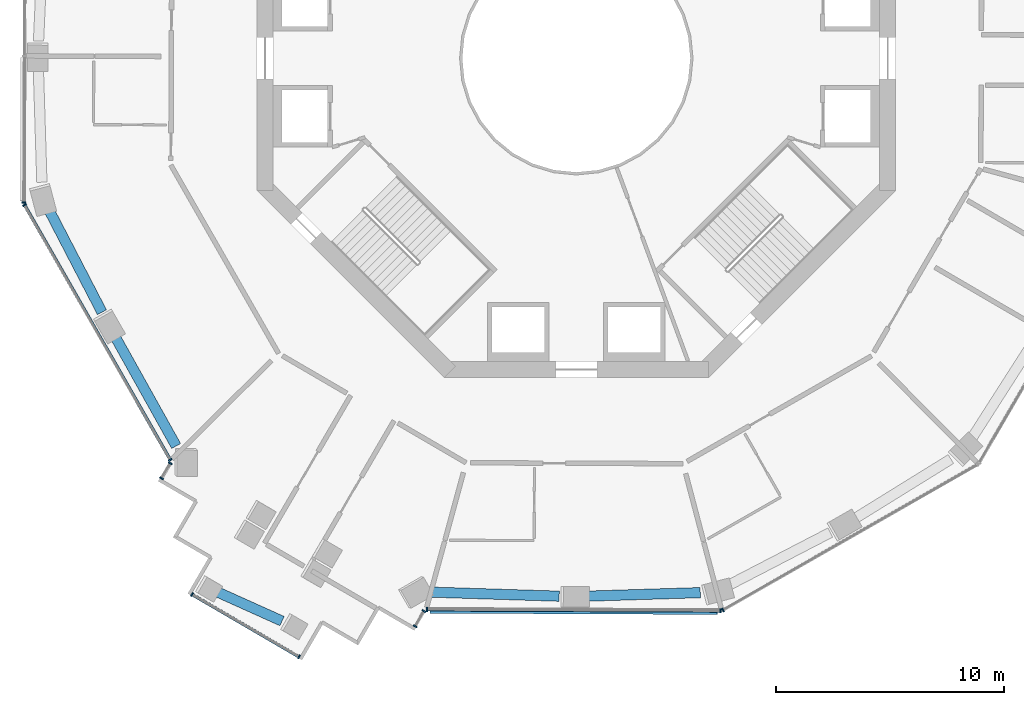
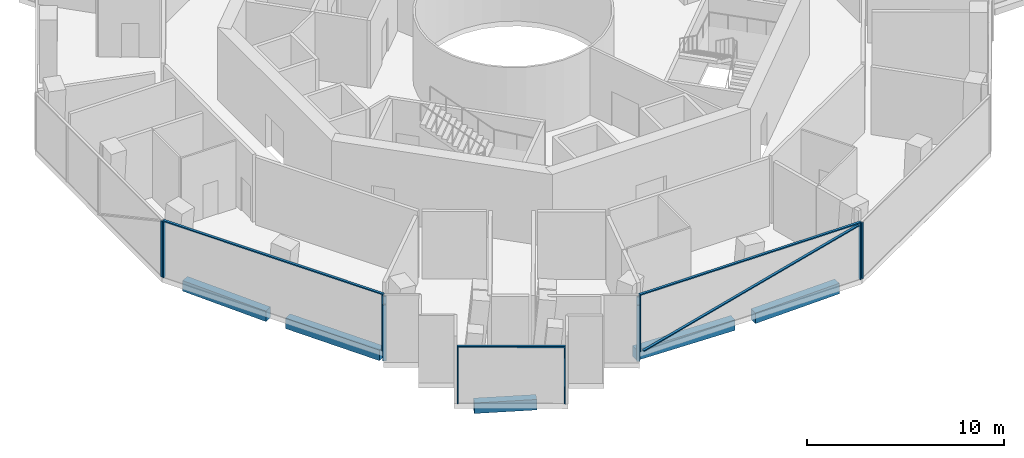
# One storey, part 2 of 16: 16 members, 5 beams, 7 elements without a shape of their own.
"""IFC4 building model written with IfcOpenShell, lengths in metres."""

import ifcopenshell
import ifcopenshell.guid

model = None  # the IFC model being written
_history = None  # IfcOwnerHistory: only IFC2X3 demands one
_inside = {}  # id of a spatial element -> (the spatial element, [elements in it])
_under = {}  # id of a project, library or spatial element -> (it, [spatial elements below it])
_declared = {}  # id of a project -> (the project, [libraries it declares])
_typed = {}  # id of a type object -> (the type object, [elements of that type])
_made_of = {}  # id of a material, layer set ... -> (it, [elements and type objects made of it])


def new_model(schema):
    """Start an empty IFC model of exactly this schema.

    Asked for "IFC4X3", IfcOpenShell would pick the latest addendum, in which some entities
    have other attributes; the version numbers below select the first issue.
    IFC2X3 requires an IfcOwnerHistory on every rooted entity: one is made here for all.
    """
    global model, _history
    if schema == "IFC4X3":
        model = ifcopenshell.file(schema_version=(4, 3, 0, 0))
    else:
        model = ifcopenshell.file(schema=schema)
    _inside.clear()
    _under.clear()
    _declared.clear()
    _typed.clear()
    _made_of.clear()
    _history = None
    if model.schema == "IFC2X3":
        org = make("IfcOrganization", Name="unknown")
        user = make(
            "IfcPersonAndOrganization",
            ThePerson=make("IfcPerson", FamilyName="unknown"),
            TheOrganization=org,
        )
        app = make(
            "IfcApplication",
            ApplicationDeveloper=org,
            Version="unknown",
            ApplicationFullName="unknown",
            ApplicationIdentifier="unknown",
        )
        _history = make(
            "IfcOwnerHistory",
            OwningUser=user,
            OwningApplication=app,
            ChangeAction="ADDED",
            CreationDate=0,
        )
    return model


def make(cls, **values):
    """One entity of the class cls with the attributes given. An attribute that is None is left unset."""
    return model.create_entity(
        cls, **{name: value for name, value in values.items() if value is not None}
    )


def rooted(cls, **values):
    """An entity with a GlobalId (a new one), such as an element, a storey or a relation."""
    return make(cls, GlobalId=ifcopenshell.guid.new(), OwnerHistory=_history, **values)


def si_unit(unit_type, name, prefix=None):
    """IfcSIUnit, for example si_unit("LENGTHUNIT", "METRE", prefix="MILLI")."""
    return make("IfcSIUnit", UnitType=unit_type, Prefix=prefix, Name=name)


def assignment(units):
    """IfcUnitAssignment: the units of a project."""
    return None if units is None else make("IfcUnitAssignment", Units=units)


def point(xyz):
    """IfcCartesianPoint."""
    return None if xyz is None else make("IfcCartesianPoint", Coordinates=xyz)


def direction(xyz):
    """IfcDirection."""
    return None if xyz is None else make("IfcDirection", DirectionRatios=xyz)


def frame(location, z_axis=None, x_axis=None):
    """IfcAxis2Placement3D, a coordinate frame: its origin and axes. An axis left out is left unset."""
    return make(
        "IfcAxis2Placement3D",
        Location=point(location),
        Axis=direction(z_axis),
        RefDirection=direction(x_axis),
    )


def frame_2d(location, x_axis=None):
    """IfcAxis2Placement2D, a coordinate frame in the plane: its origin and x axis."""
    return make(
        "IfcAxis2Placement2D", Location=point(location), RefDirection=direction(x_axis)
    )


def origin():
    """The frame at (0, 0, 0) with its axes left unset."""
    return frame((0.0, 0.0, 0.0))


def origin_2d():
    """The frame at (0, 0) in the plane with its x axis left unset."""
    return frame_2d((0.0, 0.0))


def place(relative_to, where):
    """IfcLocalPlacement: puts the frame where relative to a parent placement (None: the world)."""
    return make(
        "IfcLocalPlacement", PlacementRelTo=relative_to, RelativePlacement=where
    )


def context(
    kind, dimensions, precision=None, world=None, true_north=None, identifier=None
):
    """IfcGeometricRepresentationContext, for example the 3D "Model" context."""
    return make(
        "IfcGeometricRepresentationContext",
        ContextIdentifier=identifier,
        ContextType=kind,
        CoordinateSpaceDimension=dimensions,
        Precision=precision,
        WorldCoordinateSystem=world,
        TrueNorth=true_north,
    )


def subcontext(parent, identifier, kind, view, scale=None):
    """IfcGeometricRepresentationSubContext, for example "Body" below "Model"."""
    return make(
        "IfcGeometricRepresentationSubContext",
        ContextIdentifier=identifier,
        ContextType=kind,
        ParentContext=parent,
        TargetScale=scale,
        TargetView=view,
    )


def project(units=None, contexts=None):
    """IfcProject with its units and contexts."""
    return rooted(
        "IfcProject",
        Name="project",
        RepresentationContexts=contexts,
        UnitsInContext=assignment(units),
    )


def spatial(cls, under=None, at=None, **own):
    """A site, building, storey or space (cls), placed at a placement, below another one or the project."""
    s = rooted(cls, ObjectPlacement=at, **own)
    if under is not None:
        _under.setdefault(under.id(), (under, []))[1].append(s)
    return s


def profile(cls, at=None, kind="AREA", **sizes):
    """A parametric profile (cls). Its sizes go by their IFC names, for example OverallWidth=200.0."""
    return make(cls, ProfileType=kind, Position=at, **sizes)


def rectangle(**sizes):
    """IfcRectangleProfileDef."""
    return profile("IfcRectangleProfileDef", **sizes)


def extrude(swept, where, along, depth):
    """IfcExtrudedAreaSolid: the profile swept, set in the frame where, extruded along a direction by depth."""
    return make(
        "IfcExtrudedAreaSolid",
        SweptArea=swept,
        Position=where,
        ExtrudedDirection=direction(along),
        Depth=depth,
    )


def shape(context_of_items, identifier, shape_type, items):
    """IfcShapeRepresentation: the items that make up one representation, for example the "Body"."""
    return make(
        "IfcShapeRepresentation",
        ContextOfItems=context_of_items,
        RepresentationIdentifier=identifier,
        RepresentationType=shape_type,
        Items=items,
    )


def material(Name=None, Category=None):
    """IfcMaterial."""
    return make("IfcMaterial", Name=Name, Category=Category)


def layer(
    of_material, thickness, ventilated=None, Name=None, Category=None, Priority=None
):
    """IfcMaterialLayer: one layer of a wall or slab, of a material (None: an air gap)."""
    return make(
        "IfcMaterialLayer",
        Material=of_material,
        LayerThickness=thickness,
        IsVentilated=ventilated,
        Name=Name,
        Category=Category,
        Priority=Priority,
    )


def layer_set(layers, Name=None):
    """IfcMaterialLayerSet."""
    return make("IfcMaterialLayerSet", MaterialLayers=layers, LayerSetName=Name)


def material_profile(
    of_material, cross_section, Name=None, Category=None, Priority=None
):
    """IfcMaterialProfile: a cross section and its material."""
    return make(
        "IfcMaterialProfile",
        Name=Name,
        Material=of_material,
        Profile=cross_section,
        Priority=Priority,
        Category=Category,
    )


def profile_set(profiles, Name=None, composite=None):
    """IfcMaterialProfileSet."""
    return make(
        "IfcMaterialProfileSet",
        Name=Name,
        MaterialProfiles=profiles,
        CompositeProfile=composite,
    )


def made_of(thing, what):
    """Note that an element or type object is made of a material, layer set ...; save() writes the relation."""
    if what is not None:
        _made_of.setdefault(what.id(), (what, []))[1].append(thing)
    return thing


def type_object(cls, material=None, **own):
    """A type object (cls), such as IfcWallType, which elements share."""
    return made_of(rooted(cls, **own), material)


def element(
    cls,
    number,
    at=None,
    inside=None,
    cuts=None,
    type_object=None,
    material=None,
    context=None,
    identifier="Body",
    shape_type=None,
    held_by="IfcProductDefinitionShape",
    body=None,
    shapes=None,
    **own,
):
    """One element of the class cls, such as IfcWall. Its Tag is "e" and its number.

    at: its placement. inside: the storey or other place that contains it. cuts: it is an
    opening in that element (IfcRelVoidsElement). A single representation is given by context,
    identifier, shape_type and body (its items); several are given by shapes. held_by: the class
    of the entity that holds the representations. save() writes the other relations.
    """
    e = rooted(cls, Tag="e%d" % number, ObjectPlacement=at, **own)
    if body is not None:
        shapes = [shape(context, identifier, shape_type, body)]
    if shapes is not None:
        e.Representation = make(held_by, Representations=shapes)
    if inside is not None:
        _inside.setdefault(inside.id(), (inside, []))[1].append(e)
    if cuts is not None:
        rooted(
            "IfcRelVoidsElement", RelatingBuildingElement=cuts, RelatedOpeningElement=e
        )
    if type_object is not None:
        _typed.setdefault(type_object.id(), (type_object, []))[1].append(e)
    return made_of(e, material)


def aggregate(whole, parts):
    """IfcRelAggregates: a whole, such as a stair, and the parts it consists of."""
    return rooted("IfcRelAggregates", RelatingObject=whole, RelatedObjects=parts)


def save(model, path):
    """Write the relations noted so far, then the file.

    IfcRelAggregates (storeys below a building ...), IfcRelContainedInSpatialStructure (elements
    in a storey), IfcRelDefinesByType, IfcRelAssociatesMaterial and IfcRelDeclares: one each for
    every whole, place, type object, material and project.
    """
    for whole, parts in _under.values():
        aggregate(whole, parts)
    for where, things in _inside.values():
        rooted(
            "IfcRelContainedInSpatialStructure",
            RelatedElements=things,
            RelatingStructure=where,
        )
    for kind, things in _typed.values():
        rooted("IfcRelDefinesByType", RelatedObjects=things, RelatingType=kind)
    for what, things in _made_of.values():
        rooted("IfcRelAssociatesMaterial", RelatedObjects=things, RelatingMaterial=what)
    for by, libraries in _declared.values():
        rooted("IfcRelDeclares", RelatingContext=by, RelatedDefinitions=libraries)
    model.write(path)


model = new_model("IFC4")

# Units and contexts
model_context = context("Model", 3, precision=1e-05, world=origin(), true_north=direction((0.0, 1.0)))
body_context = subcontext(model_context, "Body", "Model", "MODEL_VIEW")
ifc_project = project(units=[si_unit("LENGTHUNIT", "METRE"), si_unit("AREAUNIT", "SQUARE_METRE"), si_unit("VOLUMEUNIT", "CUBIC_METRE"), si_unit("PLANEANGLEUNIT", "RADIAN"), si_unit("MASSUNIT", "GRAM", prefix="KILO")], contexts=[model_context])

# Site, building, storey
site_placement = place(None, origin())
site = spatial("IfcSite", under=ifc_project, at=site_placement, CompositionType="ELEMENT")
building_placement = place(site_placement, origin())
building = spatial("IfcBuilding", under=site, at=building_placement, Name="Verdalira Terraces Hotel", CompositionType="ELEMENT")
storey_placement = place(building_placement, frame((0.0, 0.0, 154.0)))
storey = spatial("IfcBuildingStorey", under=building, at=storey_placement, Name="L37", CompositionType="ELEMENT", Elevation=154.0)

# Curtain wall, member
ifc_material_1 = material(Name="Clear glass", Category="glass")
ifc_layer = layer(ifc_material_1, 0.179931640625)
ifc_layer_set = layer_set([ifc_layer], Name="CW4 curtain wall")
curtain_wall_type = type_object("IfcCurtainWallType", Name="CW4 curtain wall", PredefinedType="NOTDEFINED", material=ifc_layer_set)
curtain_wall_1_placement = place(storey_placement, origin())
curtain_wall_1 = element("IfcCurtainWall", 1, at=curtain_wall_1_placement, inside=storey, type_object=curtain_wall_type, Name="CW4 curtain wall L37 edge 12", PredefinedType="NOTDEFINED")
ifc_material_2 = material(Name="Terracotta frame", Category="masonry")
ifc_material_profile_1 = material_profile(ifc_material_2, rectangle(XDim=0.064941, YDim=0.179932, at=origin_2d()), Name="MU 65x180")
ifc_profile_set_1 = profile_set([ifc_material_profile_1], Name="Terracotta frame")
member_type_1 = type_object("IfcMemberType", Name="CW4 mullion 65x180", PredefinedType="MULLION", material=ifc_profile_set_1)
member_1_placement = place(storey_placement, frame((-24.225098, -6.325928, 0.0), z_axis=(0.0, 0.0, 1.0), x_axis=(-0.004188778, -0.999991227, 0.0)))
member_1 = element("IfcMember", 2, at=member_1_placement, type_object=member_type_1, Name="CW4 mullion", PredefinedType="MULLION", context=body_context, shape_type="SweptSolid", body=[
    extrude(rectangle(XDim=0.064941, YDim=0.179932, at=origin_2d()), origin(), (0.0, 0.0, 1.0), 3.469971),
])
aggregate(curtain_wall_1, [member_1])

# Curtain wall, members
curtain_wall_2_placement = place(storey_placement, origin())
curtain_wall_2 = element("IfcCurtainWall", 3, at=curtain_wall_2_placement, inside=storey, type_object=curtain_wall_type, Name="CW4 curtain wall L37 edge 13", PredefinedType="NOTDEFINED")
member_2_placement = place(storey_placement, frame((-24.197266, -6.431641, 0.0), z_axis=(0.0, 0.0, 1.0), x_axis=(0.496368025, -0.868112195, 0.0)))
member_2 = element("IfcMember", 4, at=member_2_placement, type_object=member_type_1, Name="CW4 mullion", PredefinedType="MULLION", context=body_context, shape_type="SweptSolid", body=[
    extrude(rectangle(XDim=0.064941, YDim=0.179932, at=origin_2d()), origin(), (0.0, 0.0, 1.0), 3.469971),
])
member_3_placement = place(storey_placement, frame((-17.805176, -17.61084, 0.0), z_axis=(0.0, 0.0, 1.0), x_axis=(0.496368025, -0.868112195, 0.0)))
member_3 = element("IfcMember", 5, at=member_3_placement, type_object=member_type_1, Name="CW4 mullion", PredefinedType="MULLION", context=body_context, shape_type="SweptSolid", body=[
    extrude(rectangle(XDim=0.064941, YDim=0.179932, at=origin_2d()), origin(), (0.0, 0.0, 1.0), 3.469971),
])

curtain_wall_3_placement = place(storey_placement, origin())
curtain_wall_3 = element("IfcCurtainWall", 6, at=curtain_wall_3_placement, inside=storey, type_object=curtain_wall_type, Name="CW4 curtain wall L37 edge 14", PredefinedType="NOTDEFINED")
member_4_placement = place(storey_placement, frame((-17.805908, -17.75708, 0.0), z_axis=(0.0, 0.0, 1.0), x_axis=(-0.503623202, -0.863923417, 0.0)))
member_4 = element("IfcMember", 7, at=member_4_placement, type_object=member_type_1, Name="CW4 mullion", PredefinedType="MULLION", context=body_context, shape_type="SweptSolid", body=[
    extrude(rectangle(XDim=0.064941, YDim=0.179932, at=origin_2d()), origin(), (0.0, 0.0, 1.0), 3.469971),
])
member_5_placement = place(storey_placement, frame((-18.192383, -18.420166, 0.0), z_axis=(0.0, 0.0, 1.0), x_axis=(-0.503623202, -0.863923417, 0.0)))
member_5 = element("IfcMember", 8, at=member_5_placement, type_object=member_type_1, Name="CW4 mullion", PredefinedType="MULLION", context=body_context, shape_type="SweptSolid", body=[
    extrude(rectangle(XDim=0.064941, YDim=0.179932, at=origin_2d()), origin(), (0.0, 0.0, 1.0), 3.469971),
])
aggregate(curtain_wall_3, [member_4, member_5])

curtain_wall_4_placement = place(storey_placement, origin())
curtain_wall_4 = element("IfcCurtainWall", 9, at=curtain_wall_4_placement, inside=storey, type_object=curtain_wall_type, Name="CW4 curtain wall L37 edge 19", PredefinedType="NOTDEFINED")
member_6_placement = place(storey_placement, frame((-16.851318, -23.510986, 0.0), z_axis=(0.0, 0.0, 1.0), x_axis=(0.863923417, -0.503623202, 0.0)))
member_6 = element("IfcMember", 10, at=member_6_placement, type_object=member_type_1, Name="CW4 mullion", PredefinedType="MULLION", context=body_context, shape_type="SweptSolid", body=[
    extrude(rectangle(XDim=0.064941, YDim=0.179932, at=origin_2d()), origin(), (0.0, 0.0, 1.0), 3.469971),
])
member_7_placement = place(storey_placement, frame((-12.155762, -26.248047, 0.0), z_axis=(0.0, 0.0, 1.0), x_axis=(0.863923417, -0.503623202, 0.0)))
member_7 = element("IfcMember", 11, at=member_7_placement, type_object=member_type_1, Name="CW4 mullion", PredefinedType="MULLION", context=body_context, shape_type="SweptSolid", body=[
    extrude(rectangle(XDim=0.064941, YDim=0.179932, at=origin_2d()), origin(), (0.0, 0.0, 1.0), 3.469971),
])

curtain_wall_5_placement = place(storey_placement, origin())
curtain_wall_5 = element("IfcCurtainWall", 12, at=curtain_wall_5_placement, inside=storey, type_object=curtain_wall_type, Name="CW4 curtain wall L37 edge 24", PredefinedType="NOTDEFINED")
member_8_placement = place(storey_placement, frame((-7.065186, -24.906982, 0.0), z_axis=(0.0, 0.0, 1.0), x_axis=(0.503623202, 0.863923417, 0.0)))
member_8 = element("IfcMember", 13, at=member_8_placement, type_object=member_type_1, Name="CW4 mullion", PredefinedType="MULLION", context=body_context, shape_type="SweptSolid", body=[
    extrude(rectangle(XDim=0.064941, YDim=0.179932, at=origin_2d()), origin(), (0.0, 0.0, 1.0), 3.469971),
])
member_9_placement = place(storey_placement, frame((-6.678467, -24.243652, 0.0), z_axis=(0.0, 0.0, 1.0), x_axis=(0.503623202, 0.863923417, 0.0)))
member_9 = element("IfcMember", 14, at=member_9_placement, type_object=member_type_1, Name="CW4 mullion", PredefinedType="MULLION", context=body_context, shape_type="SweptSolid", body=[
    extrude(rectangle(XDim=0.064941, YDim=0.179932, at=origin_2d()), origin(), (0.0, 0.0, 1.0), 3.469971),
])
aggregate(curtain_wall_5, [member_8, member_9])

curtain_wall_6_placement = place(storey_placement, origin())
curtain_wall_6 = element("IfcCurtainWall", 15, at=curtain_wall_6_placement, inside=storey, type_object=curtain_wall_type, Name="CW4 curtain wall L37 edge 25", PredefinedType="NOTDEFINED")
member_10_placement = place(storey_placement, frame((-6.551514, -24.171143, 0.0), z_axis=(0.0, 0.0, 1.0), x_axis=(0.999991227, -0.004188778, 0.0)))
member_10 = element("IfcMember", 16, at=member_10_placement, type_object=member_type_1, Name="CW4 mullion", PredefinedType="MULLION", context=body_context, shape_type="SweptSolid", body=[
    extrude(rectangle(XDim=0.064941, YDim=0.179932, at=origin_2d()), origin(), (0.0, 0.0, 1.0), 3.469971),
])
member_11_placement = place(storey_placement, frame((6.325928, -24.225098, 0.0), z_axis=(0.0, 0.0, 1.0), x_axis=(0.999991227, -0.004188778, 0.0)))
member_11 = element("IfcMember", 17, at=member_11_placement, type_object=member_type_1, Name="CW4 mullion", PredefinedType="MULLION", context=body_context, shape_type="SweptSolid", body=[
    extrude(rectangle(XDim=0.064941, YDim=0.179932, at=origin_2d()), origin(), (0.0, 0.0, 1.0), 3.469971),
])

# Curtain wall, member
curtain_wall_7_placement = place(storey_placement, origin())
curtain_wall_7 = element("IfcCurtainWall", 18, at=curtain_wall_7_placement, inside=storey, type_object=curtain_wall_type, Name="CW4 curtain wall L37 edge 26", PredefinedType="NOTDEFINED")
member_12_placement = place(storey_placement, frame((6.431641, -24.197266, 0.0), z_axis=(0.0, 0.0, 1.0), x_axis=(0.868112195, 0.496368025, 0.0)))
member_12 = element("IfcMember", 19, at=member_12_placement, type_object=member_type_1, Name="CW4 mullion", PredefinedType="MULLION", context=body_context, shape_type="SweptSolid", body=[
    extrude(rectangle(XDim=0.064941, YDim=0.179932, at=origin_2d()), origin(), (0.0, 0.0, 1.0), 3.469971),
])
aggregate(curtain_wall_7, [member_12])

# Member
ifc_material_3 = material(Name="Terracotta frame", Category="masonry")
ifc_material_profile_2 = material_profile(ifc_material_3, rectangle(XDim=0.139893, YDim=0.070068, at=origin_2d()), Name="TR 70x140")
ifc_profile_set_2 = profile_set([ifc_material_profile_2], Name="Terracotta frame")
member_type_2 = type_object("IfcMemberType", Name="CW4 transom 70x140", PredefinedType="USERDEFINED", material=ifc_profile_set_2)
member_13_placement = place(storey_placement, frame((-24.213379, -6.40332, 3.504883), z_axis=(0.496370505, -0.868110778, 0.0), x_axis=(0.868110778, 0.496370505, 0.0)))
member_13 = element("IfcMember", 20, at=member_13_placement, type_object=member_type_2, Name="CW4 transom", ObjectType="TRANSOM", PredefinedType="USERDEFINED", context=body_context, shape_type="SweptSolid", body=[
    extrude(rectangle(XDim=0.139893, YDim=0.070068, at=origin_2d()), origin(), (0.0, 0.0, 1.0), 12.942627),
])

aggregate(curtain_wall_2, [member_2, member_3, member_13])

member_14_placement = place(storey_placement, frame((-16.879395, -23.494629, 3.504883), z_axis=(0.863941462, -0.503592246, 0.0), x_axis=(0.503592246, 0.863941462, 0.0)))
member_14 = element("IfcMember", 21, at=member_14_placement, type_object=member_type_2, Name="CW4 transom", ObjectType="TRANSOM", PredefinedType="USERDEFINED", context=body_context, shape_type="SweptSolid", body=[
    extrude(rectangle(XDim=0.139893, YDim=0.070068, at=origin_2d()), origin(), (0.0, 0.0, 1.0), 5.5),
])

aggregate(curtain_wall_4, [member_6, member_7, member_14])

member_15_placement = place(storey_placement, frame((-6.583984, -24.170898, 3.504883), z_axis=(0.999991232, -0.004187694, 0.0), x_axis=(0.004187694, 0.999991232, 0.0)))
member_15 = element("IfcMember", 22, at=member_15_placement, type_object=member_type_2, Name="CW4 transom", ObjectType="TRANSOM", PredefinedType="USERDEFINED", context=body_context, shape_type="SweptSolid", body=[
    extrude(rectangle(XDim=0.139893, YDim=0.070068, at=origin_2d()), origin(), (0.0, 0.0, 1.0), 12.942383),
])

ifc_material_4 = material(Name="Terracotta frame", Category="masonry")
ifc_material_profile_3 = material_profile(ifc_material_4, rectangle(XDim=0.149902, YDim=0.060059, at=origin_2d()), Name="GB 60x150")
ifc_profile_set_3 = profile_set([ifc_material_profile_3], Name="Terracotta frame")
member_type_3 = type_object("IfcMemberType", Name="Diagonal glazing bar 60x150", PredefinedType="USERDEFINED", material=ifc_profile_set_3)
member_16_placement = place(storey_placement, frame((-6.410645, -24.264648, 0.029541), z_axis=(0.96522203, -0.004041404, 0.261400267), x_axis=(0.004186984, 0.999991235, 0.0)))
member_16 = element("IfcMember", 23, at=member_16_placement, type_object=member_type_3, Name="Diagonal glazing bar", ObjectType="GLAZING BAR", PredefinedType="USERDEFINED", context=body_context, shape_type="SweptSolid", body=[
    extrude(rectangle(XDim=0.149902, YDim=0.060059, at=origin_2d()), origin(), (0.0, 0.0, 1.0), 13.048584),
])

aggregate(curtain_wall_6, [member_10, member_11, member_15, member_16])

# Beams
ifc_material_5 = material(Name="Concrete C50", Category="concrete")
ifc_material_profile_4 = material_profile(ifc_material_5, rectangle(XDim=0.449951, YDim=0.649902, at=origin_2d()), Name="RC 450X650")
ifc_profile_set_4 = profile_set([ifc_material_profile_4], Name="Concrete C50")
beam_type = type_object("IfcBeamType", Name="Spandrel beam RC 450X650 C50", PredefinedType="SPANDREL", material=ifc_profile_set_4)
beam_1_placement = place(storey_placement, frame((-23.106689, -6.682373, -0.63501), z_axis=(0.460057124, -0.887889319, 0.0), x_axis=(0.887889319, 0.460057124, 0.0)))
element("IfcBeam", 24, at=beam_1_placement, inside=storey, type_object=beam_type, Name="Spandrel beam B06", PredefinedType="SPANDREL", context=body_context, shape_type="SweptSolid", body=[
    extrude(rectangle(XDim=0.449951, YDim=0.649902, at=origin_2d()), origin(), (0.0, 0.0, 1.0), 5.015381),
])
beam_2_placement = place(storey_placement, frame((-20.248047, -12.1604, -0.63501), z_axis=(0.487365379, -0.873198138, 0.0), x_axis=(0.873198138, 0.487365379, 0.0)))
element("IfcBeam", 25, at=beam_2_placement, inside=storey, type_object=beam_type, Name="Spandrel beam B07", PredefinedType="SPANDREL", context=body_context, shape_type="SweptSolid", body=[
    extrude(rectangle(XDim=0.449951, YDim=0.649902, at=origin_2d()), origin(), (0.0, 0.0, 1.0), 5.544922),
])
beam_3_placement = place(storey_placement, frame((-15.814209, -23.369873, -0.63501), z_axis=(0.911928659, -0.410348779, 0.0), x_axis=(0.410348779, 0.911928659, 0.0)))
element("IfcBeam", 26, at=beam_3_placement, inside=storey, type_object=beam_type, Name="Spandrel beam B08", PredefinedType="SPANDREL", context=body_context, shape_type="SweptSolid", body=[
    extrude(rectangle(XDim=0.449951, YDim=0.649902, at=origin_2d()), origin(), (0.0, 0.0, 1.0), 3.192627),
])
beam_4_placement = place(storey_placement, frame((-6.418945, -23.409668, -0.63501), z_axis=(0.999500757, -0.031594899, 0.0), x_axis=(0.031594899, 0.999500757, 0.0)))
element("IfcBeam", 27, at=beam_4_placement, inside=storey, type_object=beam_type, Name="Spandrel beam B09", PredefinedType="SPANDREL", context=body_context, shape_type="SweptSolid", body=[
    extrude(rectangle(XDim=0.449951, YDim=0.649902, at=origin_2d()), origin(), (0.0, 0.0, 1.0), 5.671875),
])
beam_5_placement = place(storey_placement, frame((0.426758, -23.588623, -0.63501), z_axis=(0.999517006, 0.031076601, 0.0), x_axis=(-0.031076601, 0.999517006, 0.0)))
element("IfcBeam", 28, at=beam_5_placement, inside=storey, type_object=beam_type, Name="Spandrel beam B10", PredefinedType="SPANDREL", context=body_context, shape_type="SweptSolid", body=[
    extrude(rectangle(XDim=0.449951, YDim=0.649902, at=origin_2d()), origin(), (0.0, 0.0, 1.0), 5.012207),
])

save(model, "model.ifc")
